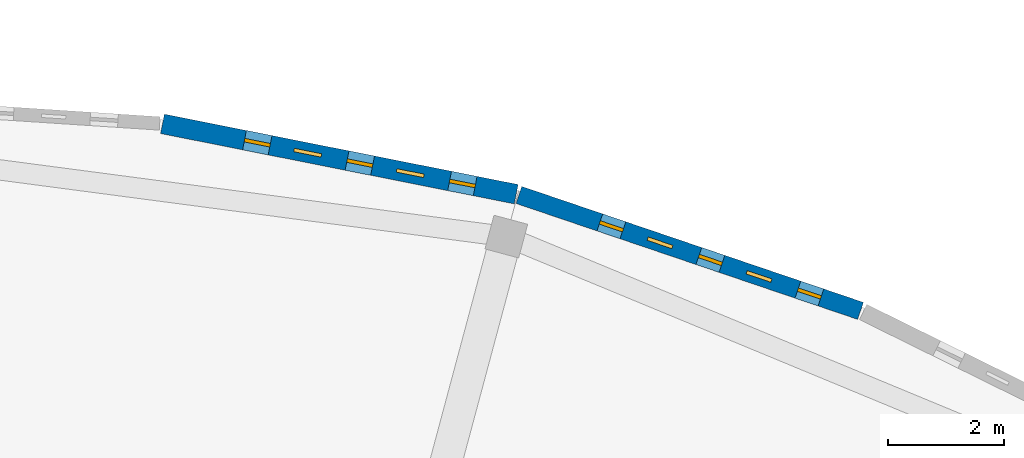
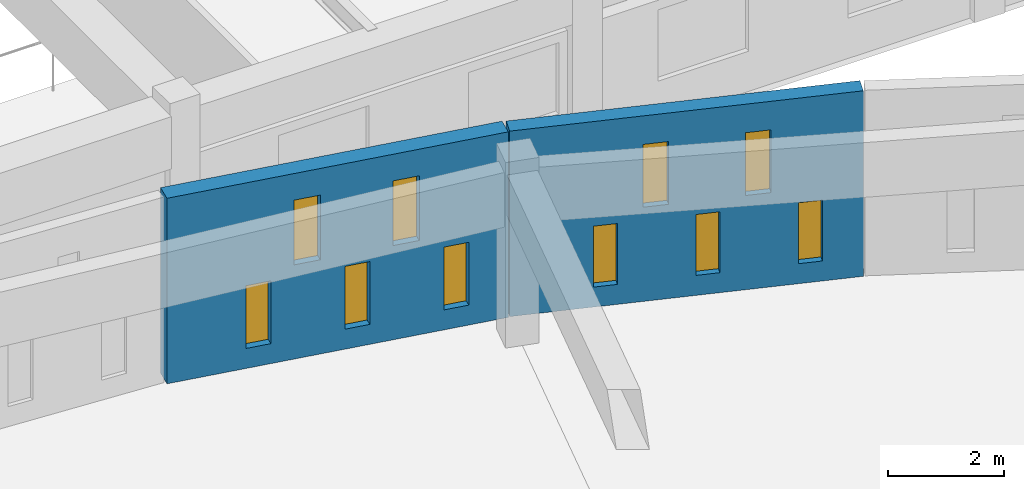
# One storey, part 65 of 98: 10 windows, 2 walls, 10 openings.
"""IFC4 building model written with IfcOpenShell, lengths in metres."""

from ifc_helpers import new_model, si_unit, direction, frame, frame_2d, origin, place, context, subcontext, project, spatial, rectangle, extrude, material, layer, layer_set, type_object, element, fill, save


model = new_model("IFC4")

# Units and contexts
model_context = context("Model", 3, precision=1e-05, world=origin(), true_north=direction((0.0, 1.0)))
body_context = subcontext(model_context, "Body", "Model", "MODEL_VIEW")
ifc_project = project(units=[si_unit("LENGTHUNIT", "METRE"), si_unit("AREAUNIT", "SQUARE_METRE"), si_unit("VOLUMEUNIT", "CUBIC_METRE"), si_unit("PLANEANGLEUNIT", "RADIAN"), si_unit("MASSUNIT", "GRAM", prefix="KILO")], contexts=[model_context])

# Site, building, storey
site_placement = place(None, origin())
site = spatial("IfcSite", under=ifc_project, at=site_placement, CompositionType="ELEMENT")
building_placement = place(site_placement, origin())
building = spatial("IfcBuilding", under=site, at=building_placement, Name="Larkveld Mobility Hub", CompositionType="ELEMENT")
storey_placement = place(building_placement, frame((0.0, 0.0, 4.5)))
storey = spatial("IfcBuildingStorey", under=building, at=storey_placement, Name="L01", CompositionType="ELEMENT", Elevation=4.5)

# Wall, openings, windows
ifc_material_1 = material(Name="Fired clay brick 25 MPa", Category="masonry")
ifc_layer_1 = layer(ifc_material_1, 0.31005859375, Name="Fired clay brick 25 MPa", Category="masonry")
ifc_layer_set_1 = layer_set([ifc_layer_1], Name="Fired clay brick 25 MPa")
wall_type_1 = type_object("IfcWallType", Name="WL-BRK-310", PredefinedType="USERDEFINED", material=ifc_layer_set_1)
wall_1_placement = place(storey_placement, frame((66.2880859375, 92.216064453125, 0.0), z_axis=(0.0, 0.0, 1.0), x_axis=(-0.946955417172, 0.321364960579, 0.0)))
wall_1 = element("IfcWall", 1, at=wall_1_placement, inside=storey, type_object=wall_type_1, Name="Drum Woven Open-Bond Brick Chord L01-0054", ObjectType="PERFORATED BRICK SCREEN", PredefinedType="USERDEFINED", context=body_context, shape_type="SweptSolid", body=[
    extrude(rectangle(XDim=6.21044921875, YDim=0.31005859375, at=frame_2d((3.105224609375, 0.0))), origin(), (0.0, 0.0, 1.0), 3.89990234375),
])
opening_1_placement = place(wall_1_placement, frame((0.719970703125, 0.0, 0.419921875)))
opening_1 = element("IfcOpeningElement", 2, at=opening_1_placement, cuts=wall_1, Name="Opening W01", PredefinedType="OPENING", context=body_context, shape_type="SweptSolid", body=[
    extrude(rectangle(XDim=0.419921875, YDim=1.280029296875, at=frame_2d((0.2099609375, 0.64013671875))), frame((0.0, 0.1650390625, 0.0), z_axis=(0.0, -1.0, 0.0), x_axis=(1.0, 0.0, 0.0)), (0.0, 0.0, 1.0), 0.330078125),
])
opening_2_placement = place(wall_1_placement, frame((2.52001953125, 0.0, 0.419921875)))
opening_2 = element("IfcOpeningElement", 3, at=opening_2_placement, cuts=wall_1, Name="Opening W01", PredefinedType="OPENING", context=body_context, shape_type="SweptSolid", body=[
    extrude(rectangle(XDim=0.419921875, YDim=1.280029296875, at=frame_2d((0.2099609375, 0.64013671875))), frame((0.0, 0.1650390625, 0.0), z_axis=(0.0, -1.0, 0.0), x_axis=(1.0, 0.0, 0.0)), (0.0, 0.0, 1.0), 0.330078125),
])
opening_3_placement = place(wall_1_placement, frame((4.320068359375, 0.0, 0.419921875)))
opening_3 = element("IfcOpeningElement", 4, at=opening_3_placement, cuts=wall_1, Name="Opening W01", PredefinedType="OPENING", context=body_context, shape_type="SweptSolid", body=[
    extrude(rectangle(XDim=0.419921875, YDim=1.280029296875, at=frame_2d((0.2099609375, 0.64013671875))), frame((0.0, 0.1650390625, 0.0), z_axis=(0.0, -1.0, 0.0), x_axis=(1.0, 0.0, 0.0)), (0.0, 0.0, 1.0), 0.330078125),
])
opening_4_placement = place(wall_1_placement, frame((1.6201171875, 0.0, 1.97998046875)))
opening_4 = element("IfcOpeningElement", 5, at=opening_4_placement, cuts=wall_1, Name="Opening W02", PredefinedType="OPENING", context=body_context, shape_type="SweptSolid", body=[
    extrude(rectangle(XDim=0.449951171875, YDim=1.320068359375, at=frame_2d((0.22509765625, 0.66015625))), frame((0.0, 0.1650390625, 0.0), z_axis=(0.0, -1.0, 0.0), x_axis=(1.0, 0.0, 0.0)), (0.0, 0.0, 1.0), 0.330078125),
])
opening_5_placement = place(wall_1_placement, frame((3.419921875, 0.0, 1.97998046875)))
opening_5 = element("IfcOpeningElement", 6, at=opening_5_placement, cuts=wall_1, Name="Opening W02", PredefinedType="OPENING", context=body_context, shape_type="SweptSolid", body=[
    extrude(rectangle(XDim=0.449951171875, YDim=1.320068359375, at=frame_2d((0.22509765625, 0.66015625))), frame((0.0, 0.1650390625, 0.0), z_axis=(0.0, -1.0, 0.0), x_axis=(1.0, 0.0, 0.0)), (0.0, 0.0, 1.0), 0.330078125),
])
ifc_material_2 = material(Name="Extruded aluminium ventilation grille", Category="aluminium")
window_type_1 = type_object("IfcWindowType", Name="WN-VENT-01", PartitioningType="SINGLE_PANEL", PredefinedType="WINDOW", material=ifc_material_2)
window_1_placement = place(opening_1_placement, origin())
window_1 = element("IfcWindow", 7, at=window_1_placement, inside=storey, type_object=window_type_1, Name="Window W01 (0256)", OverallHeight=1.280029296875, OverallWidth=0.419921875, PartitioningType="SINGLE_PANEL", PredefinedType="WINDOW", context=body_context, shape_type="SweptSolid", body=[
    extrude(rectangle(XDim=0.419921875, YDim=1.280029296875, at=frame_2d((0.2099609375, 0.64013671875))), frame((0.0, 0.030029296875, 0.0), z_axis=(0.0, -1.0, 0.0), x_axis=(1.0, 0.0, 0.0)), (0.0, 0.0, 1.0), 0.06005859375),
])
fill(opening_1, window_1)
window_2_placement = place(opening_2_placement, origin())
window_2 = element("IfcWindow", 8, at=window_2_placement, inside=storey, type_object=window_type_1, Name="Window W01 (0257)", OverallHeight=1.280029296875, OverallWidth=0.419921875, PartitioningType="SINGLE_PANEL", PredefinedType="WINDOW", context=body_context, shape_type="SweptSolid", body=[
    extrude(rectangle(XDim=0.419921875, YDim=1.280029296875, at=frame_2d((0.2099609375, 0.64013671875))), frame((0.0, 0.030029296875, 0.0), z_axis=(0.0, -1.0, 0.0), x_axis=(1.0, 0.0, 0.0)), (0.0, 0.0, 1.0), 0.06005859375),
])
fill(opening_2, window_2)
window_3_placement = place(opening_3_placement, origin())
window_3 = element("IfcWindow", 9, at=window_3_placement, inside=storey, type_object=window_type_1, Name="Window W01 (0258)", OverallHeight=1.280029296875, OverallWidth=0.419921875, PartitioningType="SINGLE_PANEL", PredefinedType="WINDOW", context=body_context, shape_type="SweptSolid", body=[
    extrude(rectangle(XDim=0.419921875, YDim=1.280029296875, at=frame_2d((0.2099609375, 0.64013671875))), frame((0.0, 0.030029296875, 0.0), z_axis=(0.0, -1.0, 0.0), x_axis=(1.0, 0.0, 0.0)), (0.0, 0.0, 1.0), 0.06005859375),
])
fill(opening_3, window_3)
window_type_2 = type_object("IfcWindowType", Name="WN-VENT-02", PartitioningType="SINGLE_PANEL", PredefinedType="WINDOW", material=ifc_material_2)
window_4_placement = place(opening_4_placement, origin())
window_4 = element("IfcWindow", 10, at=window_4_placement, inside=storey, type_object=window_type_2, Name="Window W02 (0259)", OverallHeight=1.320068359375, OverallWidth=0.449951171875, PartitioningType="SINGLE_PANEL", PredefinedType="WINDOW", context=body_context, shape_type="SweptSolid", body=[
    extrude(rectangle(XDim=0.449951171875, YDim=1.320068359375, at=frame_2d((0.22509765625, 0.66015625))), frame((0.0, 0.030029296875, 0.0), z_axis=(0.0, -1.0, 0.0), x_axis=(1.0, 0.0, 0.0)), (0.0, 0.0, 1.0), 0.06005859375),
])
fill(opening_4, window_4)
window_5_placement = place(opening_5_placement, origin())
window_5 = element("IfcWindow", 11, at=window_5_placement, inside=storey, type_object=window_type_2, Name="Window W02 (0260)", OverallHeight=1.320068359375, OverallWidth=0.449951171875, PartitioningType="SINGLE_PANEL", PredefinedType="WINDOW", context=body_context, shape_type="SweptSolid", body=[
    extrude(rectangle(XDim=0.449951171875, YDim=1.320068359375, at=frame_2d((0.22509765625, 0.66015625))), frame((0.0, 0.030029296875, 0.0), z_axis=(0.0, -1.0, 0.0), x_axis=(1.0, 0.0, 0.0)), (0.0, 0.0, 1.0), 0.06005859375),
])
fill(opening_5, window_5)

ifc_layer_2 = layer(ifc_material_1, 0.340087890625, Name="Fired clay brick 25 MPa", Category="masonry")
ifc_layer_set_2 = layer_set([ifc_layer_2], Name="Fired clay brick 25 MPa")
wall_type_2 = type_object("IfcWallType", Name="WL-BRK-340", PredefinedType="USERDEFINED", material=ifc_layer_set_2)
wall_2_placement = place(storey_placement, frame((60.360107421875, 94.22509765625, 0.0), z_axis=(0.0, 0.0, 1.0), x_axis=(-0.980799338869, 0.195019632022, 0.0)))
wall_2 = element("IfcWall", 12, at=wall_2_placement, inside=storey, type_object=wall_type_2, Name="Drum Woven Open-Bond Brick Chord L01-0055", ObjectType="PERFORATED BRICK SCREEN", PredefinedType="USERDEFINED", context=body_context, shape_type="SweptSolid", body=[
    extrude(rectangle(XDim=6.209228515625, YDim=0.340087890625, at=frame_2d((3.1044921875, 0.0))), origin(), (0.0, 0.0, 1.0), 3.89990234375),
])
opening_6_placement = place(wall_2_placement, frame((0.719970703125, 0.0, 0.419921875)))
opening_6 = element("IfcOpeningElement", 13, at=opening_6_placement, cuts=wall_2, Name="Opening W02", PredefinedType="OPENING", context=body_context, shape_type="SweptSolid", body=[
    extrude(rectangle(XDim=0.449951171875, YDim=1.320068359375, at=frame_2d((0.22509765625, 0.66015625))), frame((0.0, 0.18017578125, 0.0), z_axis=(0.0, -1.0, 0.0), x_axis=(1.0, 0.0, 0.0)), (0.0, 0.0, 1.0), 0.360107421875),
])
opening_7_placement = place(wall_2_placement, frame((2.52001953125, 0.0, 0.419921875)))
opening_7 = element("IfcOpeningElement", 14, at=opening_7_placement, cuts=wall_2, Name="Opening W02", PredefinedType="OPENING", context=body_context, shape_type="SweptSolid", body=[
    extrude(rectangle(XDim=0.449951171875, YDim=1.320068359375, at=frame_2d((0.22509765625, 0.66015625))), frame((0.0, 0.18017578125, 0.0), z_axis=(0.0, -1.0, 0.0), x_axis=(1.0, 0.0, 0.0)), (0.0, 0.0, 1.0), 0.360107421875),
])
opening_8_placement = place(wall_2_placement, frame((4.320068359375, 0.0, 0.419921875)))
opening_8 = element("IfcOpeningElement", 15, at=opening_8_placement, cuts=wall_2, Name="Opening W02", PredefinedType="OPENING", context=body_context, shape_type="SweptSolid", body=[
    extrude(rectangle(XDim=0.449951171875, YDim=1.320068359375, at=frame_2d((0.22509765625, 0.66015625))), frame((0.0, 0.18017578125, 0.0), z_axis=(0.0, -1.0, 0.0), x_axis=(1.0, 0.0, 0.0)), (0.0, 0.0, 1.0), 0.360107421875),
])
opening_9_placement = place(wall_2_placement, frame((1.6201171875, 0.0, 1.97998046875)))
opening_9 = element("IfcOpeningElement", 16, at=opening_9_placement, cuts=wall_2, Name="Opening W03", PredefinedType="OPENING", context=body_context, shape_type="SweptSolid", body=[
    extrude(rectangle(XDim=0.47998046875, YDim=1.360107421875, at=frame_2d((0.239990234375, 0.68017578125))), frame((0.0, 0.18017578125, 0.0), z_axis=(0.0, -1.0, 0.0), x_axis=(1.0, 0.0, 0.0)), (0.0, 0.0, 1.0), 0.360107421875),
])
opening_10_placement = place(wall_2_placement, frame((3.419921875, 0.0, 1.97998046875)))
opening_10 = element("IfcOpeningElement", 17, at=opening_10_placement, cuts=wall_2, Name="Opening W03", PredefinedType="OPENING", context=body_context, shape_type="SweptSolid", body=[
    extrude(rectangle(XDim=0.47998046875, YDim=1.360107421875, at=frame_2d((0.239990234375, 0.68017578125))), frame((0.0, 0.18017578125, 0.0), z_axis=(0.0, -1.0, 0.0), x_axis=(1.0, 0.0, 0.0)), (0.0, 0.0, 1.0), 0.360107421875),
])
window_6_placement = place(opening_6_placement, origin())
window_6 = element("IfcWindow", 18, at=window_6_placement, inside=storey, type_object=window_type_2, Name="Window W02 (0261)", OverallHeight=1.320068359375, OverallWidth=0.449951171875, PartitioningType="SINGLE_PANEL", PredefinedType="WINDOW", context=body_context, shape_type="SweptSolid", body=[
    extrude(rectangle(XDim=0.449951171875, YDim=1.320068359375, at=frame_2d((0.22509765625, 0.66015625))), frame((0.0, 0.030029296875, 0.0), z_axis=(0.0, -1.0, 0.0), x_axis=(1.0, 0.0, 0.0)), (0.0, 0.0, 1.0), 0.06005859375),
])
fill(opening_6, window_6)
window_7_placement = place(opening_7_placement, origin())
window_7 = element("IfcWindow", 19, at=window_7_placement, inside=storey, type_object=window_type_2, Name="Window W02 (0262)", OverallHeight=1.320068359375, OverallWidth=0.449951171875, PartitioningType="SINGLE_PANEL", PredefinedType="WINDOW", context=body_context, shape_type="SweptSolid", body=[
    extrude(rectangle(XDim=0.449951171875, YDim=1.320068359375, at=frame_2d((0.22509765625, 0.66015625))), frame((0.0, 0.030029296875, 0.0), z_axis=(0.0, -1.0, 0.0), x_axis=(1.0, 0.0, 0.0)), (0.0, 0.0, 1.0), 0.06005859375),
])
fill(opening_7, window_7)
window_8_placement = place(opening_8_placement, origin())
window_8 = element("IfcWindow", 20, at=window_8_placement, inside=storey, type_object=window_type_2, Name="Window W02 (0263)", OverallHeight=1.320068359375, OverallWidth=0.449951171875, PartitioningType="SINGLE_PANEL", PredefinedType="WINDOW", context=body_context, shape_type="SweptSolid", body=[
    extrude(rectangle(XDim=0.449951171875, YDim=1.320068359375, at=frame_2d((0.22509765625, 0.66015625))), frame((0.0, 0.030029296875, 0.0), z_axis=(0.0, -1.0, 0.0), x_axis=(1.0, 0.0, 0.0)), (0.0, 0.0, 1.0), 0.06005859375),
])
fill(opening_8, window_8)
window_type_3 = type_object("IfcWindowType", Name="WN-VENT-03", PartitioningType="SINGLE_PANEL", PredefinedType="WINDOW", material=ifc_material_2)
window_9_placement = place(opening_9_placement, origin())
window_9 = element("IfcWindow", 21, at=window_9_placement, inside=storey, type_object=window_type_3, Name="Window W03 (0264)", OverallHeight=1.360107421875, OverallWidth=0.47998046875, PartitioningType="SINGLE_PANEL", PredefinedType="WINDOW", context=body_context, shape_type="SweptSolid", body=[
    extrude(rectangle(XDim=0.47998046875, YDim=1.360107421875, at=frame_2d((0.239990234375, 0.68017578125))), frame((0.0, 0.030029296875, 0.0), z_axis=(0.0, -1.0, 0.0), x_axis=(1.0, 0.0, 0.0)), (0.0, 0.0, 1.0), 0.06005859375),
])
fill(opening_9, window_9)
window_10_placement = place(opening_10_placement, origin())
window_10 = element("IfcWindow", 22, at=window_10_placement, inside=storey, type_object=window_type_3, Name="Window W03 (0265)", OverallHeight=1.360107421875, OverallWidth=0.47998046875, PartitioningType="SINGLE_PANEL", PredefinedType="WINDOW", context=body_context, shape_type="SweptSolid", body=[
    extrude(rectangle(XDim=0.47998046875, YDim=1.360107421875, at=frame_2d((0.239990234375, 0.68017578125))), frame((0.0, 0.030029296875, 0.0), z_axis=(0.0, -1.0, 0.0), x_axis=(1.0, 0.0, 0.0)), (0.0, 0.0, 1.0), 0.06005859375),
])
fill(opening_10, window_10)

save(model, "model.ifc")
